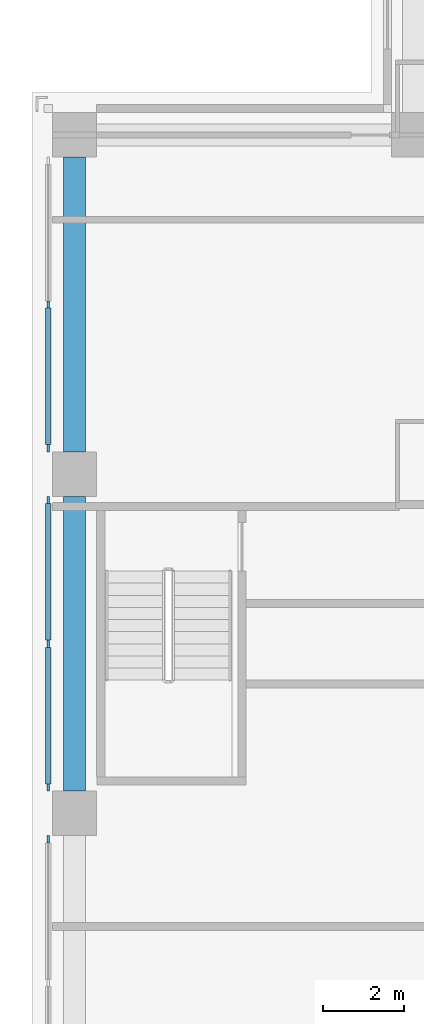
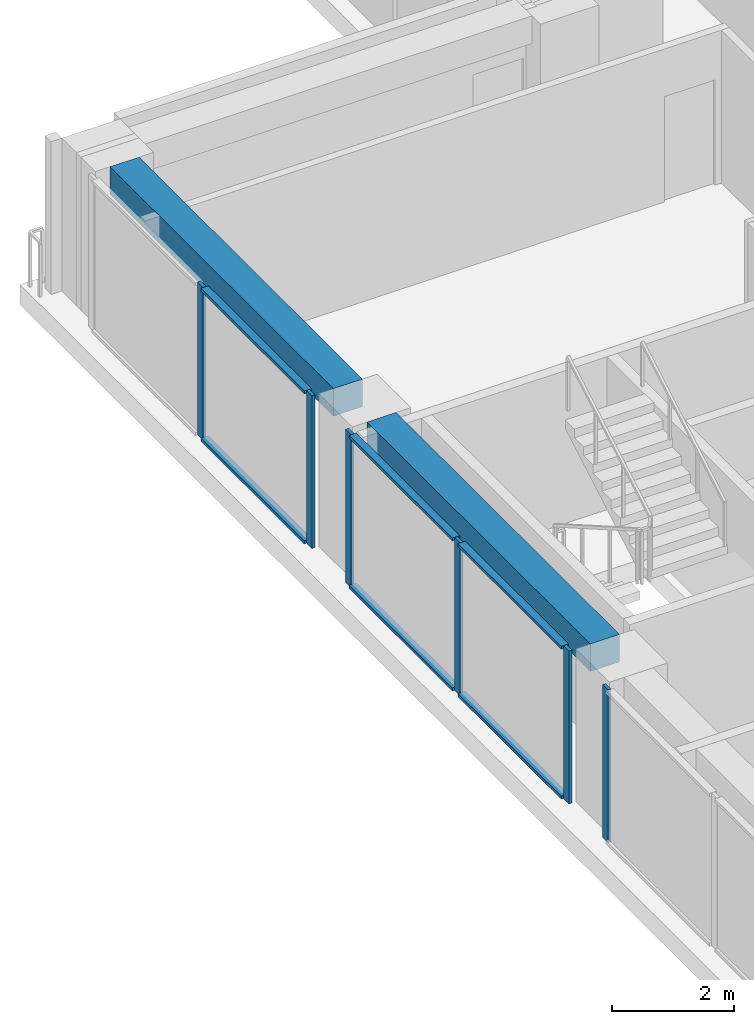
# One storey, part 4 of 16: 12 members, 2 beams, 3 elements without a shape of their own.
"""IFC4 building model written with IfcOpenShell, lengths in metres."""

from ifc_helpers import new_model, si_unit, direction, frame, origin, origin_2d, place, context, subcontext, project, spatial, rectangle, extrude, material, material_profile, profile_set, type_object, element, aggregate, save


model = new_model("IFC4")

# Units and contexts
model_context = context("Model", 3, precision=1e-05, world=origin(), true_north=direction((0.0, 1.0)))
body_context = subcontext(model_context, "Body", "Model", "MODEL_VIEW")
ifc_project = project(units=[si_unit("LENGTHUNIT", "METRE"), si_unit("AREAUNIT", "SQUARE_METRE"), si_unit("VOLUMEUNIT", "CUBIC_METRE"), si_unit("PLANEANGLEUNIT", "RADIAN"), si_unit("MASSUNIT", "GRAM", prefix="KILO")], contexts=[model_context])

# Site, building, storey
site_placement = place(None, origin())
site = spatial("IfcSite", under=ifc_project, at=site_placement, CompositionType="ELEMENT")
building_placement = place(site_placement, origin())
building = spatial("IfcBuilding", under=site, at=building_placement, Name="Vermilion Ogive Tower", CompositionType="ELEMENT")
storey_placement = place(building_placement, frame((0.0, 0.0, 136.550048828125)))
storey = spatial("IfcBuildingStorey", under=building, at=storey_placement, Name="L34", CompositionType="ELEMENT", Elevation=136.550048828125)

# Curtain wall, members
ifc_material_1 = material(Name="Low-iron laminated glazing in aluminium frame", Category="aluminium")
curtain_wall_type = type_object("IfcCurtainWallType", Name="Curtain wall CW7", PredefinedType="NOTDEFINED", material=ifc_material_1)
curtain_wall_1_placement = place(storey_placement, origin())
curtain_wall_1 = element("IfcCurtainWall", 1, at=curtain_wall_1_placement, inside=storey, type_object=curtain_wall_type, Name="Glazed skin W1", PredefinedType="NOTDEFINED")
ifc_material_2 = material(Name="Aluminium mullion", Category="aluminium")
ifc_material_profile_1 = material_profile(ifc_material_2, rectangle(XDim=0.06005859375, YDim=0.179931640625, at=origin_2d()), Name="AL 60x180")
ifc_profile_set_1 = profile_set([ifc_material_profile_1], Name="Aluminium mullion")
member_type_1 = type_object("IfcMemberType", Name="CW7 mullion 60x180", PredefinedType="MULLION", material=ifc_profile_set_1)
member_1_placement = place(storey_placement, frame((-21.64990234375, 8.39990234375, 0.0), z_axis=(0.0, 0.0, 1.0), x_axis=(1.0, 0.0, 0.0)))
member_1 = element("IfcMember", 2, at=member_1_placement, type_object=member_type_1, Name="CW7-W1 mullion 2", PredefinedType="MULLION", context=body_context, shape_type="SweptSolid", body=[
    extrude(rectangle(XDim=0.06005859375, YDim=0.179931640625, at=origin_2d()), origin(), (0.0, 0.0, 1.0), 3.050048828125),
])
member_2_placement = place(storey_placement, frame((-21.64990234375, 4.840087890625, 0.0), z_axis=(0.0, 0.0, 1.0), x_axis=(1.0, 0.0, 0.0)))
member_2 = element("IfcMember", 3, at=member_2_placement, type_object=member_type_1, Name="CW7-W1 mullion 3", PredefinedType="MULLION", context=body_context, shape_type="SweptSolid", body=[
    extrude(rectangle(XDim=0.06005859375, YDim=0.179931640625, at=origin_2d()), origin(), (0.0, 0.0, 1.0), 3.050048828125),
])

curtain_wall_2_placement = place(storey_placement, origin())
curtain_wall_2 = element("IfcCurtainWall", 4, at=curtain_wall_2_placement, inside=storey, type_object=curtain_wall_type, Name="Glazed skin W2", PredefinedType="NOTDEFINED")
member_3_placement = place(storey_placement, frame((-21.64990234375, 3.56005859375, 0.0), z_axis=(0.0, 0.0, 1.0), x_axis=(1.0, 0.0, 0.0)))
member_3 = element("IfcMember", 5, at=member_3_placement, type_object=member_type_1, Name="CW7-W2 mullion 1", PredefinedType="MULLION", context=body_context, shape_type="SweptSolid", body=[
    extrude(rectangle(XDim=0.06005859375, YDim=0.179931640625, at=origin_2d()), origin(), (0.0, 0.0, 1.0), 3.050048828125),
])
member_4_placement = place(storey_placement, frame((-21.64990234375, 0.0, 0.0), z_axis=(0.0, 0.0, 1.0), x_axis=(1.0, 0.0, 0.0)))
member_4 = element("IfcMember", 6, at=member_4_placement, type_object=member_type_1, Name="CW7-W2 mullion 2", PredefinedType="MULLION", context=body_context, shape_type="SweptSolid", body=[
    extrude(rectangle(XDim=0.06005859375, YDim=0.179931640625, at=origin_2d()), origin(), (0.0, 0.0, 1.0), 3.050048828125),
])
member_5_placement = place(storey_placement, frame((-21.64990234375, -3.56005859375, 0.0), z_axis=(0.0, 0.0, 1.0), x_axis=(1.0, 0.0, 0.0)))
member_5 = element("IfcMember", 7, at=member_5_placement, type_object=member_type_1, Name="CW7-W2 mullion 3", PredefinedType="MULLION", context=body_context, shape_type="SweptSolid", body=[
    extrude(rectangle(XDim=0.06005859375, YDim=0.179931640625, at=origin_2d()), origin(), (0.0, 0.0, 1.0), 3.050048828125),
])

# Curtain wall, member
curtain_wall_3_placement = place(storey_placement, origin())
curtain_wall_3 = element("IfcCurtainWall", 8, at=curtain_wall_3_placement, inside=storey, type_object=curtain_wall_type, Name="Glazed skin W3", PredefinedType="NOTDEFINED")
member_6_placement = place(storey_placement, frame((-21.64990234375, -4.840087890625, 0.0), z_axis=(0.0, 0.0, 1.0), x_axis=(1.0, 0.0, 0.0)))
member_6 = element("IfcMember", 9, at=member_6_placement, type_object=member_type_1, Name="CW7-W3 mullion 1", PredefinedType="MULLION", context=body_context, shape_type="SweptSolid", body=[
    extrude(rectangle(XDim=0.06005859375, YDim=0.179931640625, at=origin_2d()), origin(), (0.0, 0.0, 1.0), 3.050048828125),
])
aggregate(curtain_wall_3, [member_6])

# Member
ifc_material_3 = material(Name="Aluminium transom", Category="aluminium")
ifc_material_profile_2 = material_profile(ifc_material_3, rectangle(XDim=0.139892578125, YDim=0.06005859375, at=origin_2d()), Name="AL 60x140")
ifc_profile_set_2 = profile_set([ifc_material_profile_2], Name="Aluminium transom")
member_type_2 = type_object("IfcMemberType", Name="CW7 transom 60x140", PredefinedType="USERDEFINED", material=ifc_profile_set_2)
member_7_placement = place(storey_placement, frame((-21.64990234375, 8.31005859375, 0.030029296875), z_axis=(0.0, -1.0, 0.0), x_axis=(1.0, 0.0, 0.0)))
member_7 = element("IfcMember", 10, at=member_7_placement, type_object=member_type_2, Name="CW7-W1 transom 2.1", ObjectType="TRANSOM", PredefinedType="USERDEFINED", context=body_context, shape_type="SweptSolid", body=[
    extrude(rectangle(XDim=0.139892578125, YDim=0.06005859375, at=origin_2d()), origin(), (0.0, 0.0, 1.0), 3.380126953125),
])

member_8_placement = place(storey_placement, frame((-21.64990234375, 8.31005859375, 3.02001953125), z_axis=(0.0, -1.0, 0.0), x_axis=(1.0, 0.0, 0.0)))
member_8 = element("IfcMember", 11, at=member_8_placement, type_object=member_type_2, Name="CW7-W1 transom 2.2", ObjectType="TRANSOM", PredefinedType="USERDEFINED", context=body_context, shape_type="SweptSolid", body=[
    extrude(rectangle(XDim=0.139892578125, YDim=0.06005859375, at=origin_2d()), origin(), (0.0, 0.0, 1.0), 3.380126953125),
])

aggregate(curtain_wall_1, [member_1, member_2, member_7, member_8])

member_9_placement = place(storey_placement, frame((-21.64990234375, 3.469970703125, 0.030029296875), z_axis=(0.0, -1.0, 0.0), x_axis=(1.0, 0.0, 0.0)))
member_9 = element("IfcMember", 12, at=member_9_placement, type_object=member_type_2, Name="CW7-W2 transom 1.1", ObjectType="TRANSOM", PredefinedType="USERDEFINED", context=body_context, shape_type="SweptSolid", body=[
    extrude(rectangle(XDim=0.139892578125, YDim=0.06005859375, at=origin_2d()), origin(), (0.0, 0.0, 1.0), 3.3798828125),
])

member_10_placement = place(storey_placement, frame((-21.64990234375, 3.469970703125, 3.02001953125), z_axis=(0.0, -1.0, 0.0), x_axis=(1.0, 0.0, 0.0)))
member_10 = element("IfcMember", 13, at=member_10_placement, type_object=member_type_2, Name="CW7-W2 transom 1.2", ObjectType="TRANSOM", PredefinedType="USERDEFINED", context=body_context, shape_type="SweptSolid", body=[
    extrude(rectangle(XDim=0.139892578125, YDim=0.06005859375, at=origin_2d()), origin(), (0.0, 0.0, 1.0), 3.3798828125),
])

member_11_placement = place(storey_placement, frame((-21.64990234375, -0.090087890625, 0.030029296875), z_axis=(0.0, -1.0, 0.0), x_axis=(1.0, 0.0, 0.0)))
member_11 = element("IfcMember", 14, at=member_11_placement, type_object=member_type_2, Name="CW7-W2 transom 2.1", ObjectType="TRANSOM", PredefinedType="USERDEFINED", context=body_context, shape_type="SweptSolid", body=[
    extrude(rectangle(XDim=0.139892578125, YDim=0.06005859375, at=origin_2d()), origin(), (0.0, 0.0, 1.0), 3.3798828125),
])

member_12_placement = place(storey_placement, frame((-21.64990234375, -0.090087890625, 3.02001953125), z_axis=(0.0, -1.0, 0.0), x_axis=(1.0, 0.0, 0.0)))
member_12 = element("IfcMember", 15, at=member_12_placement, type_object=member_type_2, Name="CW7-W2 transom 2.2", ObjectType="TRANSOM", PredefinedType="USERDEFINED", context=body_context, shape_type="SweptSolid", body=[
    extrude(rectangle(XDim=0.139892578125, YDim=0.06005859375, at=origin_2d()), origin(), (0.0, 0.0, 1.0), 3.3798828125),
])

aggregate(curtain_wall_2, [member_3, member_4, member_5, member_9, member_10, member_11, member_12])

# Beams
ifc_material_4 = material(Name="Concrete B45", Category="concrete")
ifc_material_profile_3 = material_profile(ifc_material_4, rectangle(XDim=0.550048828125, YDim=0.550048828125, at=origin_2d()), Name="550 x 550")
ifc_profile_set_3 = profile_set([ifc_material_profile_3], Name="Concrete B45")
beam_type = type_object("IfcBeamType", Name="Edge beam 550 x 550 B45", PredefinedType="BEAM", material=ifc_profile_set_3)
beam_1_placement = place(storey_placement, frame((-21.0, 12.050048828125, 2.77490234375), z_axis=(0.0, -1.0, 0.0), x_axis=(1.0, 0.0, 0.0)))
element("IfcBeam", 16, at=beam_1_placement, inside=storey, type_object=beam_type, Name="L34-EB-13", PredefinedType="BEAM", context=body_context, shape_type="SweptSolid", body=[
    extrude(rectangle(XDim=0.550048828125, YDim=0.550048828125, at=origin_2d()), origin(), (0.0, 0.0, 1.0), 7.300048828125),
])
beam_2_placement = place(storey_placement, frame((-21.0, 3.64990234375, 2.77490234375), z_axis=(0.0, -1.0, 0.0), x_axis=(1.0, 0.0, 0.0)))
element("IfcBeam", 17, at=beam_2_placement, inside=storey, type_object=beam_type, Name="L34-EB-14", PredefinedType="BEAM", context=body_context, shape_type="SweptSolid", body=[
    extrude(rectangle(XDim=0.550048828125, YDim=0.550048828125, at=origin_2d()), origin(), (0.0, 0.0, 1.0), 7.2998046875),
])

save(model, "model.ifc")
